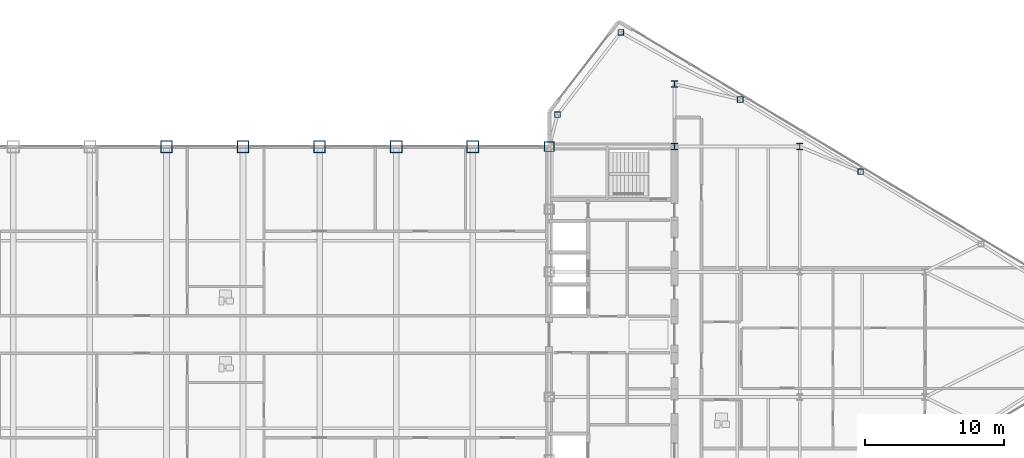
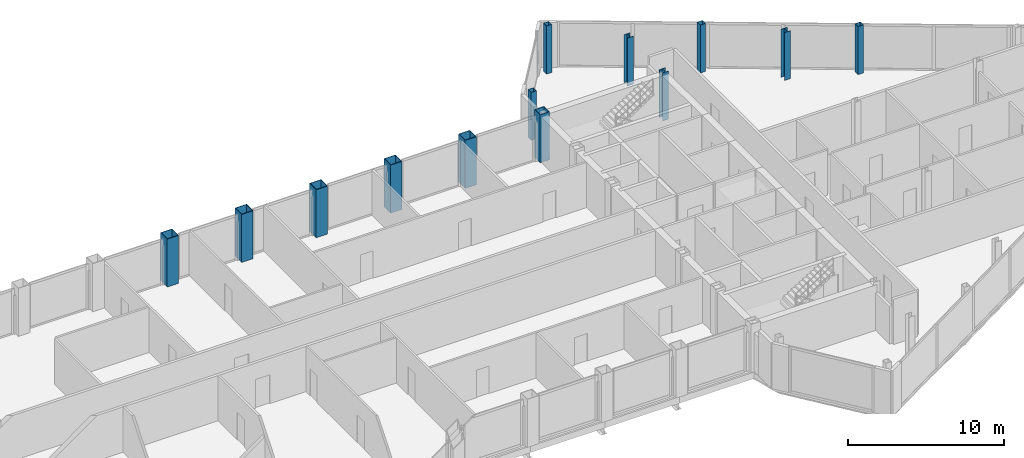
# One storey, part 6 of 29: 13 columns.
"""IFC4 building model written with IfcOpenShell, lengths in metres."""

import ifcopenshell
import ifcopenshell.guid

model = None  # the IFC model being written
_history = None  # IfcOwnerHistory: only IFC2X3 demands one
_inside = {}  # id of a spatial element -> (the spatial element, [elements in it])
_under = {}  # id of a project, library or spatial element -> (it, [spatial elements below it])
_declared = {}  # id of a project -> (the project, [libraries it declares])
_typed = {}  # id of a type object -> (the type object, [elements of that type])
_made_of = {}  # id of a material, layer set ... -> (it, [elements and type objects made of it])


def new_model(schema):
    """Start an empty IFC model of exactly this schema.

    Asked for "IFC4X3", IfcOpenShell would pick the latest addendum, in which some entities
    have other attributes; the version numbers below select the first issue.
    IFC2X3 requires an IfcOwnerHistory on every rooted entity: one is made here for all.
    """
    global model, _history
    if schema == "IFC4X3":
        model = ifcopenshell.file(schema_version=(4, 3, 0, 0))
    else:
        model = ifcopenshell.file(schema=schema)
    _inside.clear()
    _under.clear()
    _declared.clear()
    _typed.clear()
    _made_of.clear()
    _history = None
    if model.schema == "IFC2X3":
        org = make("IfcOrganization", Name="unknown")
        user = make(
            "IfcPersonAndOrganization",
            ThePerson=make("IfcPerson", FamilyName="unknown"),
            TheOrganization=org,
        )
        app = make(
            "IfcApplication",
            ApplicationDeveloper=org,
            Version="unknown",
            ApplicationFullName="unknown",
            ApplicationIdentifier="unknown",
        )
        _history = make(
            "IfcOwnerHistory",
            OwningUser=user,
            OwningApplication=app,
            ChangeAction="ADDED",
            CreationDate=0,
        )
    return model


def make(cls, **values):
    """One entity of the class cls with the attributes given. An attribute that is None is left unset."""
    return model.create_entity(
        cls, **{name: value for name, value in values.items() if value is not None}
    )


def rooted(cls, **values):
    """An entity with a GlobalId (a new one), such as an element, a storey or a relation."""
    return make(cls, GlobalId=ifcopenshell.guid.new(), OwnerHistory=_history, **values)


def si_unit(unit_type, name, prefix=None):
    """IfcSIUnit, for example si_unit("LENGTHUNIT", "METRE", prefix="MILLI")."""
    return make("IfcSIUnit", UnitType=unit_type, Prefix=prefix, Name=name)


def assignment(units):
    """IfcUnitAssignment: the units of a project."""
    return None if units is None else make("IfcUnitAssignment", Units=units)


def point(xyz):
    """IfcCartesianPoint."""
    return None if xyz is None else make("IfcCartesianPoint", Coordinates=xyz)


def direction(xyz):
    """IfcDirection."""
    return None if xyz is None else make("IfcDirection", DirectionRatios=xyz)


def frame(location, z_axis=None, x_axis=None):
    """IfcAxis2Placement3D, a coordinate frame: its origin and axes. An axis left out is left unset."""
    return make(
        "IfcAxis2Placement3D",
        Location=point(location),
        Axis=direction(z_axis),
        RefDirection=direction(x_axis),
    )


def frame_2d(location, x_axis=None):
    """IfcAxis2Placement2D, a coordinate frame in the plane: its origin and x axis."""
    return make(
        "IfcAxis2Placement2D", Location=point(location), RefDirection=direction(x_axis)
    )


def origin():
    """The frame at (0, 0, 0) with its axes left unset."""
    return frame((0.0, 0.0, 0.0))


def origin_2d():
    """The frame at (0, 0) in the plane with its x axis left unset."""
    return frame_2d((0.0, 0.0))


def place(relative_to, where):
    """IfcLocalPlacement: puts the frame where relative to a parent placement (None: the world)."""
    return make(
        "IfcLocalPlacement", PlacementRelTo=relative_to, RelativePlacement=where
    )


def context(
    kind, dimensions, precision=None, world=None, true_north=None, identifier=None
):
    """IfcGeometricRepresentationContext, for example the 3D "Model" context."""
    return make(
        "IfcGeometricRepresentationContext",
        ContextIdentifier=identifier,
        ContextType=kind,
        CoordinateSpaceDimension=dimensions,
        Precision=precision,
        WorldCoordinateSystem=world,
        TrueNorth=true_north,
    )


def subcontext(parent, identifier, kind, view, scale=None):
    """IfcGeometricRepresentationSubContext, for example "Body" below "Model"."""
    return make(
        "IfcGeometricRepresentationSubContext",
        ContextIdentifier=identifier,
        ContextType=kind,
        ParentContext=parent,
        TargetScale=scale,
        TargetView=view,
    )


def project(units=None, contexts=None):
    """IfcProject with its units and contexts."""
    return rooted(
        "IfcProject",
        Name="project",
        RepresentationContexts=contexts,
        UnitsInContext=assignment(units),
    )


def spatial(cls, under=None, at=None, **own):
    """A site, building, storey or space (cls), placed at a placement, below another one or the project."""
    s = rooted(cls, ObjectPlacement=at, **own)
    if under is not None:
        _under.setdefault(under.id(), (under, []))[1].append(s)
    return s


def profile(cls, at=None, kind="AREA", **sizes):
    """A parametric profile (cls). Its sizes go by their IFC names, for example OverallWidth=200.0."""
    return make(cls, ProfileType=kind, Position=at, **sizes)


def hollow_rectangle(**sizes):
    """IfcRectangleHollowProfileDef."""
    return profile("IfcRectangleHollowProfileDef", **sizes)


def i_section(**sizes):
    """IfcIShapeProfileDef."""
    return profile("IfcIShapeProfileDef", **sizes)


def extrude(swept, where, along, depth):
    """IfcExtrudedAreaSolid: the profile swept, set in the frame where, extruded along a direction by depth."""
    return make(
        "IfcExtrudedAreaSolid",
        SweptArea=swept,
        Position=where,
        ExtrudedDirection=direction(along),
        Depth=depth,
    )


def shape(context_of_items, identifier, shape_type, items):
    """IfcShapeRepresentation: the items that make up one representation, for example the "Body"."""
    return make(
        "IfcShapeRepresentation",
        ContextOfItems=context_of_items,
        RepresentationIdentifier=identifier,
        RepresentationType=shape_type,
        Items=items,
    )


def source(mapping_origin, context_of_items, identifier, shape_type, items):
    """IfcRepresentationMap: a shape defined once, which mapped items show again and again."""
    return make(
        "IfcRepresentationMap",
        MappingOrigin=mapping_origin,
        MappedRepresentation=shape(context_of_items, identifier, shape_type, items),
    )


def transform(
    local_origin,
    x_axis=None,
    y_axis=None,
    z_axis=None,
    scale=None,
    scale2=None,
    scale3=None,
    uniform=True,
):
    """IfcCartesianTransformationOperator3D, or its non-uniform kind. x_axis, y_axis, z_axis: its Axis1, 2, 3."""
    if uniform:
        return make(
            "IfcCartesianTransformationOperator3D",
            Axis1=direction(x_axis),
            Axis2=direction(y_axis),
            LocalOrigin=point(local_origin),
            Scale=scale,
            Axis3=direction(z_axis),
        )
    return make(
        "IfcCartesianTransformationOperator3DnonUniform",
        Axis1=direction(x_axis),
        Axis2=direction(y_axis),
        LocalOrigin=point(local_origin),
        Scale=scale,
        Axis3=direction(z_axis),
        Scale2=scale2,
        Scale3=scale3,
    )


def mapped(mapping_source, mapping_target):
    """IfcMappedItem: shows the shape of a source again, moved by a transform."""
    return make(
        "IfcMappedItem", MappingSource=mapping_source, MappingTarget=mapping_target
    )


def material(Name=None, Category=None):
    """IfcMaterial."""
    return make("IfcMaterial", Name=Name, Category=Category)


def material_profile(
    of_material, cross_section, Name=None, Category=None, Priority=None
):
    """IfcMaterialProfile: a cross section and its material."""
    return make(
        "IfcMaterialProfile",
        Name=Name,
        Material=of_material,
        Profile=cross_section,
        Priority=Priority,
        Category=Category,
    )


def profile_set(profiles, Name=None, composite=None):
    """IfcMaterialProfileSet."""
    return make(
        "IfcMaterialProfileSet",
        Name=Name,
        MaterialProfiles=profiles,
        CompositeProfile=composite,
    )


def made_of(thing, what):
    """Note that an element or type object is made of a material, layer set ...; save() writes the relation."""
    if what is not None:
        _made_of.setdefault(what.id(), (what, []))[1].append(thing)
    return thing


def type_object(cls, material=None, **own):
    """A type object (cls), such as IfcWallType, which elements share."""
    return made_of(rooted(cls, **own), material)


def type_shapes(of_type, sources):
    """Give a type object the sources (RepresentationMaps) that its elements show as mapped items."""
    of_type.RepresentationMaps = sources


def element(
    cls,
    number,
    at=None,
    inside=None,
    cuts=None,
    type_object=None,
    material=None,
    context=None,
    identifier="Body",
    shape_type=None,
    held_by="IfcProductDefinitionShape",
    body=None,
    shapes=None,
    **own,
):
    """One element of the class cls, such as IfcWall. Its Tag is "e" and its number.

    at: its placement. inside: the storey or other place that contains it. cuts: it is an
    opening in that element (IfcRelVoidsElement). A single representation is given by context,
    identifier, shape_type and body (its items); several are given by shapes. held_by: the class
    of the entity that holds the representations. save() writes the other relations.
    """
    e = rooted(cls, Tag="e%d" % number, ObjectPlacement=at, **own)
    if body is not None:
        shapes = [shape(context, identifier, shape_type, body)]
    if shapes is not None:
        e.Representation = make(held_by, Representations=shapes)
    if inside is not None:
        _inside.setdefault(inside.id(), (inside, []))[1].append(e)
    if cuts is not None:
        rooted(
            "IfcRelVoidsElement", RelatingBuildingElement=cuts, RelatedOpeningElement=e
        )
    if type_object is not None:
        _typed.setdefault(type_object.id(), (type_object, []))[1].append(e)
    return made_of(e, material)


def aggregate(whole, parts):
    """IfcRelAggregates: a whole, such as a stair, and the parts it consists of."""
    return rooted("IfcRelAggregates", RelatingObject=whole, RelatedObjects=parts)


def save(model, path):
    """Write the relations noted so far, then the file.

    IfcRelAggregates (storeys below a building ...), IfcRelContainedInSpatialStructure (elements
    in a storey), IfcRelDefinesByType, IfcRelAssociatesMaterial and IfcRelDeclares: one each for
    every whole, place, type object, material and project.
    """
    for whole, parts in _under.values():
        aggregate(whole, parts)
    for where, things in _inside.values():
        rooted(
            "IfcRelContainedInSpatialStructure",
            RelatedElements=things,
            RelatingStructure=where,
        )
    for kind, things in _typed.values():
        rooted("IfcRelDefinesByType", RelatedObjects=things, RelatingType=kind)
    for what, things in _made_of.values():
        rooted("IfcRelAssociatesMaterial", RelatedObjects=things, RelatingMaterial=what)
    for by, libraries in _declared.values():
        rooted("IfcRelDeclares", RelatingContext=by, RelatedDefinitions=libraries)
    model.write(path)


model = new_model("IFC4")

# Units and contexts
model_context = context("Model", 3, precision=1e-05, world=origin(), true_north=direction((0.0, 1.0)))
body_context = subcontext(model_context, "Body", "Model", "MODEL_VIEW")
ifc_project = project(units=[si_unit("LENGTHUNIT", "METRE"), si_unit("AREAUNIT", "SQUARE_METRE"), si_unit("VOLUMEUNIT", "CUBIC_METRE"), si_unit("PLANEANGLEUNIT", "RADIAN"), si_unit("MASSUNIT", "GRAM", prefix="KILO")], contexts=[model_context])

# Site, building, storey
site_placement = place(None, origin())
site = spatial("IfcSite", under=ifc_project, at=site_placement, CompositionType="ELEMENT")
building_placement = place(site_placement, origin())
building = spatial("IfcBuilding", under=site, at=building_placement, Name="Seokmaru Belvedere", CompositionType="ELEMENT")
storey_placement = place(building_placement, frame((0.0, 0.0, 254.39990234375)))
storey = spatial("IfcBuildingStorey", under=building, at=storey_placement, Name="L67", CompositionType="ELEMENT", Elevation=254.39990234375)

# Columns
ifc_material_1 = material(Name="Steel SM355 (355 MPa)", Category="steel")
ifc_material_profile_1 = material_profile(ifc_material_1, hollow_rectangle(XDim=0.699951171875, YDim=0.699951171875, WallThickness=0.030029296875, at=origin_2d()), Name="BOX-700x700x30")
ifc_profile_set_1 = profile_set([ifc_material_profile_1], Name="Steel SM355 (355 MPa)")
column_type_1 = type_object("IfcColumnType", Name="Upper Spine Column BOX-700", PredefinedType="COLUMN", material=ifc_profile_set_1)
shared_shape_1 = source(origin(), body_context, "Body", "SweptSolid", [
    extrude(hollow_rectangle(XDim=0.699951171875, YDim=0.699951171875, WallThickness=0.030029296875, at=origin_2d()), origin(), (0.0, 0.0, 1.0), 3.75),
])
type_shapes(column_type_1, [shared_shape_1])
column_placement = place(storey_placement, frame((27.5, 13.5, 0.0), z_axis=(0.0, 0.0, 1.0), x_axis=(1.0, 0.0, 0.0)))
element("IfcColumn", 1, at=column_placement, inside=storey, type_object=column_type_1, Name="L67 Column ES6", PredefinedType="COLUMN", context=body_context, shape_type="MappedRepresentation", body=[
    mapped(shared_shape_1, transform((0.0, 0.0, 0.0), scale=1.0)),
])
ifc_material_profile_2 = material_profile(ifc_material_1, i_section(OverallWidth=0.449951171875, OverallDepth=0.449951171875, WebThickness=0.01611328125, FlangeThickness=0.02490234375, at=origin_2d()), Name="H-450x450x16x25")
ifc_profile_set_2 = profile_set([ifc_material_profile_2], Name="Steel SM355 (355 MPa)")
column_type_2 = type_object("IfcColumnType", Name="Sky-Gate Column H-450", PredefinedType="COLUMN", material=ifc_profile_set_2)
shared_shape_2 = source(origin(), body_context, "Body", "SweptSolid", [
    extrude(i_section(OverallWidth=0.449951171875, OverallDepth=0.449951171875, WebThickness=0.01611328125, FlangeThickness=0.02490234375, at=origin_2d()), origin(), (0.0, 0.0, 1.0), 3.75),
])
type_shapes(column_type_2, [shared_shape_2])
for number, where, z_axis, x_axis, name in (
    (2, (36.5, 13.5, 0.0), (0.0, 0.0, 1.0), (1.0, 0.0, 0.0), "L67 Column EC3"),
    (3, (36.5, 18.0, 0.0), (0.0, 0.0, 1.0), (1.0, 0.0, 0.0), "L67 Column EC4"),
    (4, (45.5, 13.5, 0.0), (0.0, 0.0, 1.0), (1.0, 0.0, 0.0), "L67 Column EG5_4"),
):
    element("IfcColumn", number, at=place(storey_placement, frame(where, z_axis=z_axis, x_axis=x_axis)), inside=storey, type_object=column_type_2, Name=name, PredefinedType="COLUMN", context=body_context, shape_type="MappedRepresentation", body=[
        mapped(shared_shape_2, transform((0.0, 0.0, 0.0), scale=1.0)),
    ])
ifc_material_profile_3 = material_profile(ifc_material_1, hollow_rectangle(XDim=0.39990234375, YDim=0.39990234375, WallThickness=0.01611328125, at=origin_2d()), Name="HSS-400x400x16")
ifc_profile_set_3 = profile_set([ifc_material_profile_3], Name="Steel SM355 (355 MPa)")
column_type_3 = type_object("IfcColumnType", Name="Perimeter Facet Column HSS-400", PredefinedType="COLUMN", material=ifc_profile_set_3)
shared_shape_3 = source(origin(), body_context, "Body", "SweptSolid", [
    extrude(hollow_rectangle(XDim=0.39990234375, YDim=0.39990234375, WallThickness=0.01611328125, at=origin_2d()), origin(), (0.0, 0.0, 1.0), 3.75),
])
type_shapes(column_type_3, [shared_shape_3])
for number, where, z_axis, x_axis, name in (
    (5, (32.649658203125, 21.71044921875, 0.0), (0.0, 0.0, 1.0), (1.0, 0.0, 0.0), "L67 Column EF4"),
    (6, (28.10009765625, 15.7958984375, 0.0), (0.0, 0.0, 1.0), (1.0, 0.0, 0.0), "L67 Column EF5"),
    (7, (41.229736328125, 16.888916015625, 0.0), (0.0, 0.0, 1.0), (1.0, 0.0, 0.0), "L67 Column EFLK_N1"),
    (8, (49.8798828125, 11.698974609375, 0.0), (0.0, 0.0, 1.0), (1.0, 0.0, 0.0), "L67 Column EFLK_N2"),
):
    element("IfcColumn", number, at=place(storey_placement, frame(where, z_axis=z_axis, x_axis=x_axis)), inside=storey, type_object=column_type_3, Name=name, PredefinedType="COLUMN", context=body_context, shape_type="MappedRepresentation", body=[
        mapped(shared_shape_3, transform((0.0, 0.0, 0.0), scale=1.0)),
    ])
ifc_material_2 = material(Name="Steel HSA650 (650 MPa)", Category="steel")
ifc_material_profile_4 = material_profile(ifc_material_2, hollow_rectangle(XDim=0.85009765625, YDim=0.85009765625, WallThickness=0.035888671875, at=origin_2d()), Name="BOX-850x850x36")
ifc_profile_set_4 = profile_set([ifc_material_profile_4], Name="Steel HSA650 (650 MPa)")
column_type_4 = type_object("IfcColumnType", Name="Portal Spine Column BOX-850", PredefinedType="COLUMN", material=ifc_profile_set_4)
shared_shape_4 = source(origin(), body_context, "Body", "SweptSolid", [
    extrude(hollow_rectangle(XDim=0.85009765625, YDim=0.85009765625, WallThickness=0.035888671875, at=origin_2d()), origin(), (0.0, 0.0, 1.0), 3.75),
])
type_shapes(column_type_4, [shared_shape_4])
for number, where, z_axis, x_axis, name in (
    (9, (0.0, 13.5, 0.0), (0.0, 0.0, 1.0), (1.0, 0.0, 0.0), "L67 Column BRN_5"),
    (10, (5.5, 13.5, 0.0), (0.0, 0.0, 1.0), (1.0, 0.0, 0.0), "L67 Column BRN_6"),
    (11, (11.0, 13.5, 0.0), (0.0, 0.0, 1.0), (1.0, 0.0, 0.0), "L67 Column BRN_7"),
    (12, (16.5, 13.5, 0.0), (0.0, 0.0, 1.0), (1.0, 0.0, 0.0), "L67 Column BRN_8"),
    (13, (22.0, 13.5, 0.0), (0.0, 0.0, 1.0), (1.0, 0.0, 0.0), "L67 Column BRN_9"),
):
    element("IfcColumn", number, at=place(storey_placement, frame(where, z_axis=z_axis, x_axis=x_axis)), inside=storey, type_object=column_type_4, Name=name, PredefinedType="COLUMN", context=body_context, shape_type="MappedRepresentation", body=[
        mapped(shared_shape_4, transform((0.0, 0.0, 0.0), scale=1.0)),
    ])

save(model, "model.ifc")
